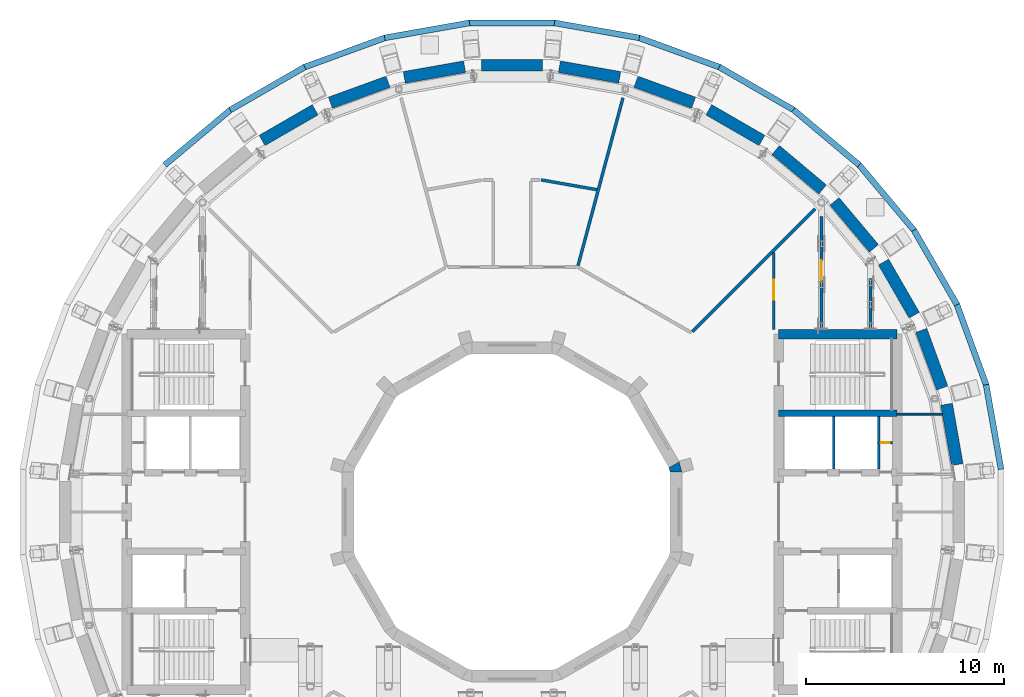
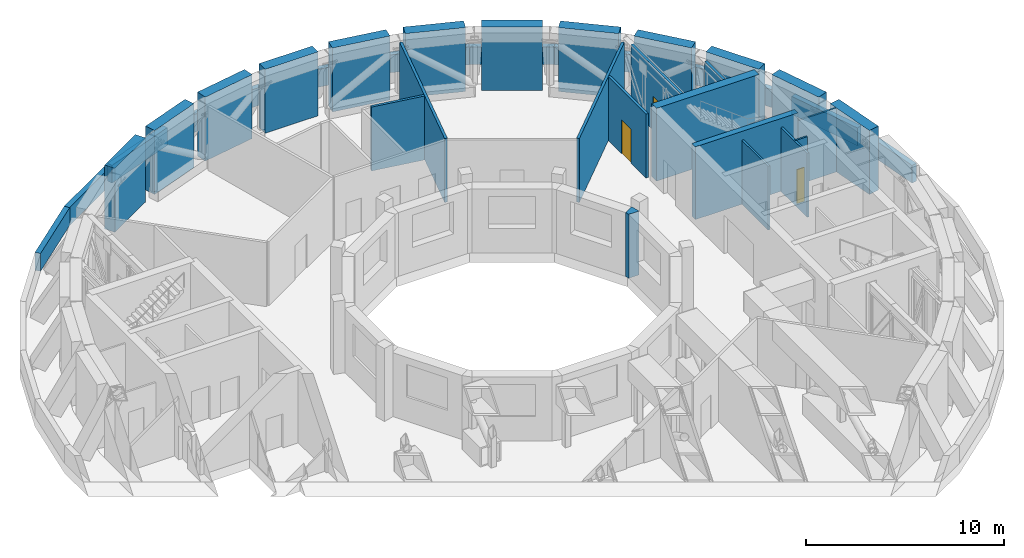
# One storey, part 15 of 20: 38 walls, 3 doors, 3 openings.
"""IFC4 building model written with IfcOpenShell, lengths in metres."""

from ifc_helpers import new_model, si_unit, direction, frame, frame_2d, origin, place, context, subcontext, project, spatial, polyline, rectangle, outline, extrude, material, layer, layer_set, type_object, element, fill, save


model = new_model("IFC4")

# Units and contexts
model_context = context("Model", 3, precision=1e-05, world=origin(), true_north=direction((0.0, 1.0)))
body_context = subcontext(model_context, "Body", "Model", "MODEL_VIEW")
ifc_project = project(units=[si_unit("LENGTHUNIT", "METRE"), si_unit("AREAUNIT", "SQUARE_METRE"), si_unit("VOLUMEUNIT", "CUBIC_METRE"), si_unit("PLANEANGLEUNIT", "RADIAN"), si_unit("MASSUNIT", "GRAM", prefix="KILO")], contexts=[model_context])

# Site, building, storey
site_placement = place(None, origin())
site = spatial("IfcSite", under=ifc_project, at=site_placement, CompositionType="ELEMENT")
building_placement = place(site_placement, origin())
building = spatial("IfcBuilding", under=site, at=building_placement, Name="Saqina Gate Tower", CompositionType="ELEMENT")
storey_placement = place(building_placement, frame((0.0, 0.0, 220.199951171875)))
storey = spatial("IfcBuildingStorey", under=building, at=storey_placement, Name="L63", CompositionType="ELEMENT", Elevation=220.199951171875)

# Wall, opening, door
ifc_material_1 = material(Name="Gypsum board on steel studs", Category="steel")
ifc_layer_1 = layer(ifc_material_1, 0.10009765625)
ifc_layer_set_1 = layer_set([ifc_layer_1], Name="CORE PARTITION")
wall_type_1 = type_object("IfcWallType", Name="CORE PARTITION", PredefinedType="PARTITIONING", material=ifc_layer_set_1)
wall_1_placement = place(storey_placement, frame((18.56005859375, 3.5, 0.0), z_axis=(0.0, 0.0, 1.0), x_axis=(1.0, 0.0, 0.0)))
wall_1 = element("IfcWall", 1, at=wall_1_placement, inside=storey, type_object=wall_type_1, Name="L63-CP-E01", PredefinedType="PARTITIONING", context=body_context, shape_type="SweptSolid", body=[
    extrude(rectangle(XDim=0.68994140625, YDim=0.10009765625, at=frame_2d((0.344970703125, 0.0))), origin(), (0.0, 0.0, 1.0), 3.949951171875),
])
opening_1_placement = place(wall_1_placement, frame((0.10009765625, 0.0, 0.0)))
opening_1 = element("IfcOpeningElement", 2, at=opening_1_placement, cuts=wall_1, Name="Opening L63-D95", PredefinedType="OPENING", context=body_context, shape_type="SweptSolid", body=[
    extrude(rectangle(XDim=0.449951171875, YDim=2.10009765625, at=frame_2d((0.22509765625, 1.050048828125))), frame((0.0, 0.06201171875, 0.0), z_axis=(0.0, -1.0, 0.0), x_axis=(1.0, 0.0, 0.0)), (0.0, 0.0, 1.0), 0.1240234375),
])
ifc_material_2 = material(Name="Steel-framed fire door leaf, EI 60", Category="steel")
door_type_1 = type_object("IfcDoorType", Name="SERVICE ROOM DOOR 450", OperationType="SINGLE_SWING_LEFT", PredefinedType="DOOR", material=ifc_material_2)
door_1_placement = place(opening_1_placement, origin())
door_1 = element("IfcDoor", 3, at=door_1_placement, inside=storey, type_object=door_type_1, Name="L63-CD-E06", OperationType="SINGLE_SWING_RIGHT", OverallHeight=2.10009765625, OverallWidth=0.449951171875, PredefinedType="DOOR", context=body_context, shape_type="SweptSolid", body=[
    extrude(rectangle(XDim=0.449951171875, YDim=2.10009765625, at=frame_2d((0.22509765625, 1.050048828125))), frame((0.0, 0.02490234375, 0.0), z_axis=(0.0, -1.0, 0.0), x_axis=(1.0, 0.0, 0.0)), (0.0, 0.0, 1.0), 0.050048828125),
])
fill(opening_1, door_1)

# Walls
wall_2_placement = place(storey_placement, frame((19.5, 4.949951171875, 0.0), z_axis=(0.0, 0.0, 1.0), x_axis=(1.0, 0.0, 0.0)))
element("IfcWall", 4, at=wall_2_placement, inside=storey, type_object=wall_type_1, Name="L63-CP-E02", PredefinedType="PARTITIONING", context=body_context, shape_type="SweptSolid", body=[
    extrude(rectangle(XDim=2.283935546875, YDim=0.10009765625, at=frame_2d((1.14208984375, 0.0))), origin(), (0.0, 0.0, 1.0), 3.949951171875),
])
ifc_material_3 = material(Name="Brick masonry (buff)", Category="masonry")
ifc_layer_2 = layer(ifc_material_3, 0.60009765625)
ifc_layer_set_2 = layer_set([ifc_layer_2], Name="FW-BRICK-BUFF")
wall_type_2 = type_object("IfcWallType", Name="FW-BRICK-BUFF", PredefinedType="SOLIDWALL", material=ifc_layer_set_2)
for number, where, z_axis, x_axis, name in (
    (5, (20.358154296875, 9.96337890625, 0.0), (0.0, 0.0, 1.0), (-0.499974592989, 0.866040072032, 0.0), "Facade wall L63 facet 3"),
    (6, (18.31884765625, 13.34716796875, 0.0), (0.0, 0.0, 1.0), (-0.642774743319, 0.766055239099, 0.0), "Facade wall L63 facet 4"),
    (7, (15.722900390625, 16.325439453125, 0.0), (0.0, 0.0, 1.0), (-0.766055239099, 0.642774743319, 0.0), "Facade wall L63 facet 5"),
    (8, (12.649169921875, 18.8076171875, 0.0), (0.0, 0.0, 1.0), (-0.866040072032, 0.499974592989, 0.0), "Facade wall L63 facet 6"),
):
    element("IfcWall", number, at=place(storey_placement, frame(where, z_axis=z_axis, x_axis=x_axis)), inside=storey, type_object=wall_type_2, Name=name, PredefinedType="SOLIDWALL", context=body_context, shape_type="SweptSolid", body=[
        extrude(rectangle(XDim=3.101318359375, YDim=0.60009765625, at=frame_2d((1.55078125, 0.0))), origin(), (0.0, 0.0, 1.0), 3.949951171875),
    ])
for number, where, z_axis, x_axis, name in (
    (9, (9.19091796875, 20.718505859375, 0.0), (0.0, 0.0, 1.0), (-0.93970144397, 0.341995900855, 0.0), "Facade wall L63 facet 7"),
    (10, (5.45361328125, 21.999755859375, 0.0), (0.0, 0.0, 1.0), (-0.98481682871, 0.173596698961, 0.0), "Facade wall L63 facet 8"),
    (11, (1.550537109375, 22.612548828125, 0.0), (0.0, 0.0, 1.0), (-1.0, 0.0, 0.0), "Facade wall L63 facet 9"),
    (12, (-2.399658203125, 22.5380859375, 0.0), (0.0, 0.0, 1.0), (-0.98481682871, -0.173596698961, 0.0), "Facade wall L63 facet 10"),
    (13, (-6.27685546875, 21.779052734375, 0.0), (0.0, 0.0, 1.0), (-0.93970144397, -0.341995900855, 0.0), "Facade wall L63 facet 11"),
):
    element("IfcWall", number, at=place(storey_placement, frame(where, z_axis=z_axis, x_axis=x_axis)), inside=storey, type_object=wall_type_2, Name=name, PredefinedType="SOLIDWALL", context=body_context, shape_type="SweptSolid", body=[
        extrude(rectangle(XDim=3.10107421875, YDim=0.60009765625, at=frame_2d((1.550537109375, 0.0))), origin(), (0.0, 0.0, 1.0), 3.949951171875),
    ])
wall_3_placement = place(storey_placement, frame((-9.96337890625, 20.358154296875, 0.0), z_axis=(0.0, 0.0, 1.0), x_axis=(-0.866040072032, -0.499974592989, 0.0)))
element("IfcWall", 14, at=wall_3_placement, inside=storey, type_object=wall_type_2, Name="Facade wall L63 facet 12", PredefinedType="SOLIDWALL", context=body_context, shape_type="SweptSolid", body=[
    extrude(rectangle(XDim=3.101318359375, YDim=0.60009765625, at=frame_2d((1.55078125, 0.0))), origin(), (0.0, 0.0, 1.0), 3.949951171875),
])
ifc_material_4 = material(Name="Glazed ceramic tile", Category="ceramic")
ifc_layer_3 = layer(ifc_material_4, 0.60009765625)
ifc_layer_set_3 = layer_set([ifc_layer_3], Name="FW-TILE")
wall_type_3 = type_object("IfcWallType", Name="FW-TILE", PredefinedType="SOLIDWALL", material=ifc_layer_set_3)
wall_4_placement = place(storey_placement, frame((21.779052734375, 6.27685546875, 0.0), z_axis=(0.0, 0.0, 1.0), x_axis=(-0.341995900855, 0.93970144397, 0.0)))
element("IfcWall", 15, at=wall_4_placement, inside=storey, type_object=wall_type_3, Name="Facade wall L63 facet 2", PredefinedType="SOLIDWALL", context=body_context, shape_type="SweptSolid", body=[
    extrude(rectangle(XDim=3.10107421875, YDim=0.60009765625, at=frame_2d((1.550537109375, 0.0))), origin(), (0.0, 0.0, 1.0), 3.949951171875),
])
ifc_material_5 = material(Name="Glazed ceramic tile (white)", Category="ceramic")
ifc_layer_4 = layer(ifc_material_5, 0.60009765625)
ifc_layer_set_4 = layer_set([ifc_layer_4], Name="FW-TILE-WH")
wall_type_4 = type_object("IfcWallType", Name="FW-TILE-WH", PredefinedType="SOLIDWALL", material=ifc_layer_set_4)
wall_5_placement = place(storey_placement, frame((22.5380859375, 2.399658203125, 0.0), z_axis=(0.0, 0.0, 1.0), x_axis=(-0.173596698961, 0.98481682871, 0.0)))
element("IfcWall", 16, at=wall_5_placement, inside=storey, type_object=wall_type_4, Name="Facade wall L63 facet 1", PredefinedType="SOLIDWALL", context=body_context, shape_type="SweptSolid", body=[
    extrude(rectangle(XDim=3.10107421875, YDim=0.60009765625, at=frame_2d((1.550537109375, 0.0))), origin(), (0.0, 0.0, 1.0), 3.949951171875),
])
ifc_material_6 = material(Name="Brick masonry (buff)", Category="masonry")
ifc_layer_5 = layer(ifc_material_6, 0.300048828125)
ifc_layer_set_5 = layer_set([ifc_layer_5], Name="PA-ROOF")
wall_type_5 = type_object("IfcWallType", Name="PA-ROOF", PredefinedType="PARAPET", material=ifc_layer_set_5)
for number, where, z_axis, x_axis, name in (
    (17, (24.757080078125, 2.15283203125, 0.0), (0.0, 0.0, 1.0), (-0.173622331815, 0.984812309984, 0.0), "Parapet L63 edge 1"),
    (18, (24.007080078125, 6.419189453125, 0.0), (0.0, 0.0, 1.0), (-0.342026438957, 0.93969032934, 0.0), "Parapet L63 edge 2"),
):
    element("IfcWall", number, at=place(storey_placement, frame(where, z_axis=z_axis, x_axis=x_axis)), inside=storey, type_object=wall_type_5, Name=name, PredefinedType="PARAPET", context=body_context, shape_type="SweptSolid", body=[
        extrude(rectangle(XDim=4.357666015625, YDim=0.300048828125, at=frame_2d((2.1787109375, 0.0))), origin(), (0.0, 0.0, 1.0), 1.10009765625),
    ])
for number, where, z_axis, x_axis, name in (
    (19, (22.52783203125, 10.490478515625, 0.0), (0.0, 0.0, 1.0), (-0.500013426303, 0.866017651966, 0.0), "Parapet L63 edge 3"),
    (20, (20.364013671875, 14.242919921875, 0.0), (0.0, 0.0, 1.0), (-0.642792594925, 0.76604025998, 0.0), "Parapet L63 edge 4"),
    (21, (17.581298828125, 17.562744140625, 0.0), (0.0, 0.0, 1.0), (-0.76604025998, 0.642792594925, 0.0), "Parapet L63 edge 5"),
    (22, (14.264404296875, 20.348876953125, 0.0), (0.0, 0.0, 1.0), (-0.866017651966, 0.500013426303, 0.0), "Parapet L63 edge 6"),
):
    element("IfcWall", number, at=place(storey_placement, frame(where, z_axis=z_axis, x_axis=x_axis)), inside=storey, type_object=wall_type_5, Name=name, PredefinedType="PARAPET", context=body_context, shape_type="SweptSolid", body=[
        extrude(rectangle(XDim=4.35791015625, YDim=0.300048828125, at=frame_2d((2.178955078125, 0.0))), origin(), (0.0, 0.0, 1.0), 1.10009765625),
    ])
for number, where, z_axis, x_axis, name in (
    (23, (10.51416015625, 22.5166015625, 0.0), (0.0, 0.0, 1.0), (-0.93969032934, 0.342026438957, 0.0), "Parapet L63 edge 7"),
    (24, (6.4443359375, 24.00048828125, 0.0), (0.0, 0.0, 1.0), (-0.984812309984, 0.173622331815, 0.0), "Parapet L63 edge 8"),
):
    element("IfcWall", number, at=place(storey_placement, frame(where, z_axis=z_axis, x_axis=x_axis)), inside=storey, type_object=wall_type_5, Name=name, PredefinedType="PARAPET", context=body_context, shape_type="SweptSolid", body=[
        extrude(rectangle(XDim=4.357666015625, YDim=0.300048828125, at=frame_2d((2.1787109375, 0.0))), origin(), (0.0, 0.0, 1.0), 1.10009765625),
    ])
wall_6_placement = place(storey_placement, frame((2.178955078125, 24.7548828125, 0.0), z_axis=(0.0, 0.0, 1.0), x_axis=(-1.0, 0.0, 0.0)))
element("IfcWall", 25, at=wall_6_placement, inside=storey, type_object=wall_type_5, Name="Parapet L63 edge 9", PredefinedType="PARAPET", context=body_context, shape_type="SweptSolid", body=[
    extrude(rectangle(XDim=4.35791015625, YDim=0.300048828125, at=frame_2d((2.178955078125, 0.0))), origin(), (0.0, 0.0, 1.0), 1.10009765625),
])
for number, where, z_axis, x_axis, name in (
    (26, (-2.15283203125, 24.757080078125, 0.0), (0.0, 0.0, 1.0), (-0.984812309984, -0.173622331815, 0.0), "Parapet L63 edge 10"),
    (27, (-6.419189453125, 24.007080078125, 0.0), (0.0, 0.0, 1.0), (-0.93969032934, -0.342026438957, 0.0), "Parapet L63 edge 11"),
):
    element("IfcWall", number, at=place(storey_placement, frame(where, z_axis=z_axis, x_axis=x_axis)), inside=storey, type_object=wall_type_5, Name=name, PredefinedType="PARAPET", context=body_context, shape_type="SweptSolid", body=[
        extrude(rectangle(XDim=4.357666015625, YDim=0.300048828125, at=frame_2d((2.1787109375, 0.0))), origin(), (0.0, 0.0, 1.0), 1.10009765625),
    ])
for number, where, z_axis, x_axis, name in (
    (28, (-10.490478515625, 22.52783203125, 0.0), (0.0, 0.0, 1.0), (-0.866017651966, -0.500013426303, 0.0), "Parapet L63 edge 12"),
    (29, (-14.242919921875, 20.364013671875, 0.0), (0.0, 0.0, 1.0), (-0.76604025998, -0.642792594925, 0.0), "Parapet L63 edge 13"),
):
    element("IfcWall", number, at=place(storey_placement, frame(where, z_axis=z_axis, x_axis=x_axis)), inside=storey, type_object=wall_type_5, Name=name, PredefinedType="PARAPET", context=body_context, shape_type="SweptSolid", body=[
        extrude(rectangle(XDim=4.35791015625, YDim=0.300048828125, at=frame_2d((2.178955078125, 0.0))), origin(), (0.0, 0.0, 1.0), 1.10009765625),
    ])
ifc_material_7 = material(Name="Autoclaved aerated concrete block", Category="concrete")
ifc_layer_6 = layer(ifc_material_7, 0.1201171875)
ifc_layer_set_6 = layer_set([ifc_layer_6], Name="SHAFT PARTITION")
wall_type_6 = type_object("IfcWallType", Name="SHAFT PARTITION", PredefinedType="PARTITIONING", material=ifc_layer_set_6)
for number, where, z_axis, x_axis, name in (
    (30, (16.280029296875, 2.175048828125, 0.0), (0.0, 0.0, 1.0), (0.0, 1.0, 0.0), "L63-CP-E06"),
    (31, (18.56005859375, 2.175048828125, 0.0), (0.0, 0.0, 1.0), (0.0, 1.0, 0.0), "L63-CP-E07"),
):
    element("IfcWall", number, at=place(storey_placement, frame(where, z_axis=z_axis, x_axis=x_axis)), inside=storey, type_object=wall_type_6, Name=name, PredefinedType="PARTITIONING", context=body_context, shape_type="SweptSolid", body=[
        extrude(rectangle(XDim=2.64990234375, YDim=0.1201171875, at=frame_2d((1.324951171875, 0.0))), origin(), (0.0, 0.0, 1.0), 3.949951171875),
    ])
ifc_material_8 = material(Name="Masonry block and plaster, 150 mm, fire rated", Category="masonry")
ifc_layer_7 = layer(ifc_material_8, 0.14990234375)
ifc_layer_set_7 = layer_set([ifc_layer_7], Name="SPECIAL PARTITION EI 60 150")
wall_type_7 = type_object("IfcWallType", Name="SPECIAL PARTITION EI 60 150", PredefinedType="PARTITIONING", material=ifc_layer_set_7)
wall_7_placement = place(storey_placement, frame((1.470947265625, 16.81201171875, 0.0), z_axis=(0.0, 0.0, 1.0), x_axis=(0.984852071658, -0.173396646307, 0.0)))
element("IfcWall", 32, at=wall_7_placement, inside=storey, type_object=wall_type_7, Name="PARTITION 006", PredefinedType="PARTITIONING", context=body_context, shape_type="SweptSolid", body=[
    extrude(rectangle(XDim=2.86669921875, YDim=0.14990234375, at=frame_2d((1.433349609375, 0.0))), origin(), (0.0, 0.0, 1.0), 3.949951171875),
])
wall_8_placement = place(storey_placement, frame((9.1298828125, 9.1298828125, 0.0), z_axis=(0.0, 0.0, 1.0), x_axis=(0.707106781187, 0.707106781187, 0.0)))
element("IfcWall", 33, at=wall_8_placement, inside=storey, type_object=wall_type_7, Name="PARTITION 015", PredefinedType="PARTITIONING", context=body_context, shape_type="SweptSolid", body=[
    extrude(rectangle(XDim=8.7880859375, YDim=0.14990234375, at=frame_2d((4.39404296875, 0.0))), origin(), (0.0, 0.0, 1.0), 3.949951171875),
])
wall_9_placement = place(storey_placement, frame((3.34228515625, 12.472412109375, 0.0), z_axis=(0.0, 0.0, 1.0), x_axis=(0.258732844965, 0.965948919424, 0.0)))
element("IfcWall", 34, at=wall_9_placement, inside=storey, type_object=wall_type_7, Name="PARTITION 016", PredefinedType="PARTITIONING", context=body_context, shape_type="SweptSolid", body=[
    extrude(rectangle(XDim=8.787841796875, YDim=0.14990234375, at=frame_2d((4.39404296875, 0.0))), origin(), (0.0, 0.0, 1.0), 3.949951171875),
])
wall_10_placement = place(storey_placement, frame((18.14404296875, 9.25, 0.0), z_axis=(0.0, 0.0, 1.0), x_axis=(0.0, 1.0, 0.0)))
element("IfcWall", 35, at=wall_10_placement, inside=storey, type_object=wall_type_7, Name="PARTITION 018", PredefinedType="PARTITIONING", context=body_context, shape_type="SweptSolid", body=[
    extrude(rectangle(XDim=2.55908203125, YDim=0.14990234375, at=frame_2d((1.279541015625, 0.0))), origin(), (0.0, 0.0, 1.0), 3.949951171875),
])

# Wall, opening, door
wall_11_placement = place(storey_placement, frame((15.662109375, 9.25, 0.0), z_axis=(0.0, 0.0, 1.0), x_axis=(0.0, 1.0, 0.0)))
wall_11 = element("IfcWall", 36, at=wall_11_placement, inside=storey, type_object=wall_type_7, Name="PARTITION 020", PredefinedType="PARTITIONING", context=body_context, shape_type="SweptSolid", body=[
    extrude(rectangle(XDim=5.715087890625, YDim=0.14990234375, at=frame_2d((2.857421875, 0.0))), origin(), (0.0, 0.0, 1.0), 3.949951171875),
])
opening_2_placement = place(wall_11_placement, frame((2.489990234375, 0.0, 0.0)))
opening_2 = element("IfcOpeningElement", 37, at=opening_2_placement, cuts=wall_11, Name="Opening L63-D01", PredefinedType="OPENING", context=body_context, shape_type="SweptSolid", body=[
    extrude(rectangle(XDim=1.0, YDim=2.10009765625, at=frame_2d((0.5, 1.050048828125))), frame((0.0, 0.0869140625, 0.0), z_axis=(0.0, -1.0, 0.0), x_axis=(1.0, 0.0, 0.0)), (0.0, 0.0, 1.0), 0.173828125),
])
ifc_material_9 = material(Name="Steel-framed fire door leaf, EI 60", Category="steel")
door_type_2 = type_object("IfcDoorType", Name="SPECIAL DOOR 1000 FIRE EI 60", OperationType="SINGLE_SWING_LEFT", PredefinedType="DOOR", material=ifc_material_9)
door_2_placement = place(opening_2_placement, origin())
door_2 = element("IfcDoor", 38, at=door_2_placement, inside=storey, type_object=door_type_2, Name="DOOR L63-D01", OperationType="SINGLE_SWING_RIGHT", OverallHeight=2.10009765625, OverallWidth=1.0, PredefinedType="DOOR", context=body_context, shape_type="SweptSolid", body=[
    extrude(rectangle(XDim=1.0, YDim=2.10009765625, at=frame_2d((0.5, 1.050048828125))), frame((0.0, 0.02490234375, 0.0), z_axis=(0.0, -1.0, 0.0), x_axis=(1.0, 0.0, 0.0)), (0.0, 0.0, 1.0), 0.050048828125),
])
fill(opening_2, door_2)

wall_12_placement = place(storey_placement, frame((13.25, 9.25, 0.0), z_axis=(0.0, 0.0, 1.0), x_axis=(0.0, 1.0, 0.0)))
wall_12 = element("IfcWall", 39, at=wall_12_placement, inside=storey, type_object=wall_type_7, Name="PARTITION 022", PredefinedType="PARTITIONING", context=body_context, shape_type="SweptSolid", body=[
    extrude(rectangle(XDim=3.89501953125, YDim=0.14990234375, at=frame_2d((1.947509765625, 0.0))), origin(), (0.0, 0.0, 1.0), 3.949951171875),
])
opening_3_placement = place(wall_12_placement, frame((1.5, 0.0, 0.0)))
opening_3 = element("IfcOpeningElement", 40, at=opening_3_placement, cuts=wall_12, Name="Opening L63-D02", PredefinedType="OPENING", context=body_context, shape_type="SweptSolid", body=[
    extrude(rectangle(XDim=1.0, YDim=2.10009765625, at=frame_2d((0.5, 1.050048828125))), frame((0.0, 0.0869140625, 0.0), z_axis=(0.0, -1.0, 0.0), x_axis=(1.0, 0.0, 0.0)), (0.0, 0.0, 1.0), 0.173828125),
])
door_3_placement = place(opening_3_placement, frame((1.0, 0.0, 0.0), z_axis=(0.0, 0.0, 1.0), x_axis=(-1.0, 0.0, 0.0)))
door_3 = element("IfcDoor", 41, at=door_3_placement, inside=storey, type_object=door_type_2, Name="DOOR L63-D02", OperationType="SINGLE_SWING_LEFT", OverallHeight=2.10009765625, OverallWidth=1.0, PredefinedType="DOOR", context=body_context, shape_type="SweptSolid", body=[
    extrude(rectangle(XDim=1.0, YDim=2.10009765625, at=frame_2d((0.5, 1.050048828125))), frame((0.0, 0.02490234375, 0.0), z_axis=(0.0, -1.0, 0.0), x_axis=(1.0, 0.0, 0.0)), (0.0, 0.0, 1.0), 0.050048828125),
])
fill(opening_3, door_3)

# Walls
ifc_material_10 = material(Name="Concrete C60/75", Category="concrete")
ifc_layer_8 = layer(ifc_material_10, 0.35009765625)
ifc_layer_set_8 = layer_set([ifc_layer_8], Name="Concrete C60/75")
wall_type_8 = type_object("IfcWallType", Name="STR-CORE WALL-D-I", PredefinedType="SHEAR", material=ifc_layer_set_8)
wall_13_placement = place(storey_placement, frame((13.5, 5.0, 0.0), z_axis=(0.0, 0.0, 1.0), x_axis=(1.0, 0.0, 0.0)))
element("IfcWall", 42, at=wall_13_placement, inside=storey, type_object=wall_type_8, Name="CORE WALL L63 E-X1", PredefinedType="SHEAR", context=body_context, shape_type="SweptSolid", body=[
    extrude(rectangle(XDim=6.0, YDim=0.35009765625, at=frame_2d((3.0, 0.0))), origin(), (0.0, 0.0, 1.0), 4.5),
])
ifc_material_11 = material(Name="Concrete C60/75", Category="concrete")
ifc_layer_9 = layer(ifc_material_11, 0.5)
ifc_layer_set_9 = layer_set([ifc_layer_9], Name="Concrete C60/75")
wall_type_9 = type_object("IfcWallType", Name="STR-CORE WALL-D-O", PredefinedType="SHEAR", material=ifc_layer_set_9)
wall_14_placement = place(storey_placement, frame((13.5, 9.0, 0.0), z_axis=(0.0, 0.0, 1.0), x_axis=(1.0, 0.0, 0.0)))
element("IfcWall", 43, at=wall_14_placement, inside=storey, type_object=wall_type_9, Name="CORE WALL L63 E-NE", PredefinedType="SHEAR", context=body_context, shape_type="SweptSolid", body=[
    extrude(rectangle(XDim=6.0, YDim=0.5, at=frame_2d((3.0, 0.0))), origin(), (0.0, 0.0, 1.0), 4.5),
])
ifc_material_12 = material(Name="Glazed ceramic tile", Category="ceramic")
wall_type_10 = type_object("IfcWallType", Name="TILE PIER COPING", PredefinedType="SOLIDWALL", material=ifc_material_12)
wall_15_placement = place(storey_placement, origin())
element("IfcWall", 44, at=wall_15_placement, inside=storey, type_object=wall_type_10, Name="Well pier cap L63 column 1", PredefinedType="SOLIDWALL", context=body_context, shape_type="SweptSolid", body=[
    extrude(outline(polyline([(8.46240234375, 2.54248046875), (7.94287109375, 2.242431640625), (8.0, 2.029296875), (8.60009765625, 2.029296875), (8.46240234375, 2.54248046875)])), origin(), (0.0, 0.0, 1.0), 3.949951171875),
])

save(model, "model.ifc")
